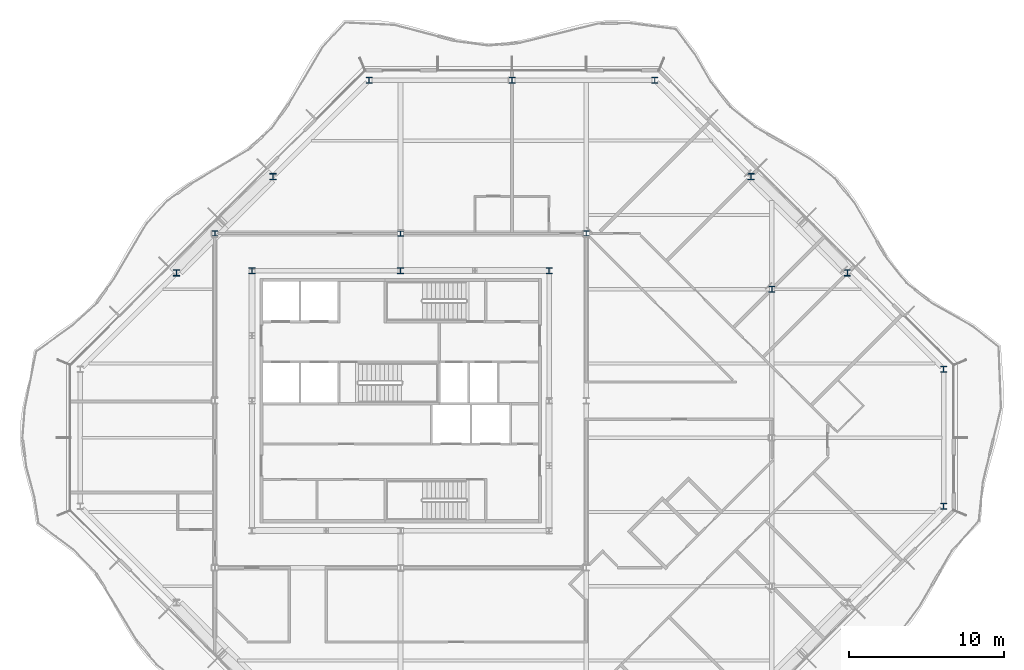
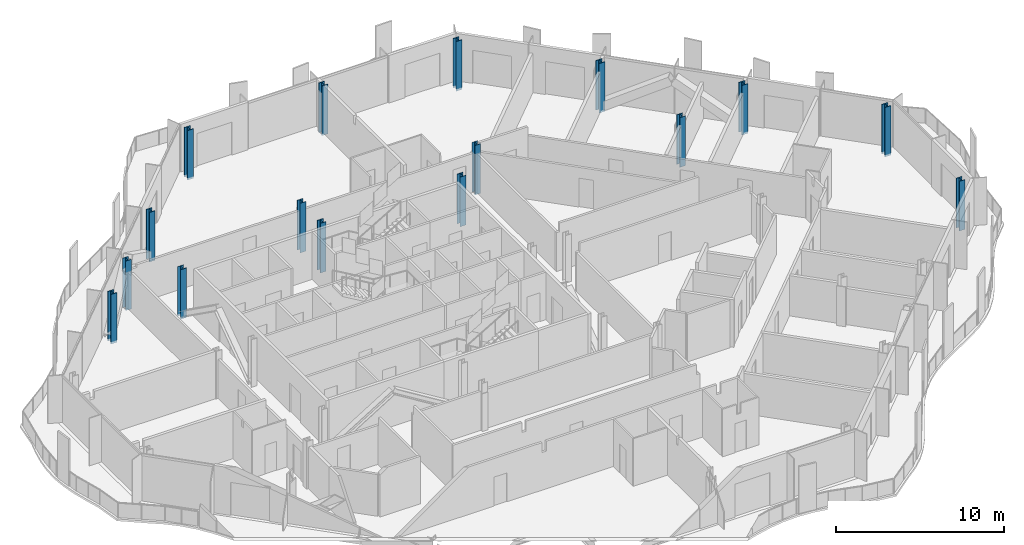
# One storey, part 2 of 17: 16 columns.
"""IFC4 building model written with IfcOpenShell, lengths in metres."""

from ifc_helpers import new_model, si_unit, direction, frame, origin, origin_2d, place, context, subcontext, project, spatial, i_section, extrude, material, material_profile, profile_set, type_object, element, save


model = new_model("IFC4")

# Units and contexts
model_context = context("Model", 3, precision=1e-05, world=origin(), true_north=direction((0.0, 1.0)))
body_context = subcontext(model_context, "Body", "Model", "MODEL_VIEW")
ifc_project = project(units=[si_unit("LENGTHUNIT", "METRE"), si_unit("AREAUNIT", "SQUARE_METRE"), si_unit("VOLUMEUNIT", "CUBIC_METRE"), si_unit("PLANEANGLEUNIT", "RADIAN"), si_unit("MASSUNIT", "GRAM", prefix="KILO")], contexts=[model_context])

# Site, building, storey
site_placement = place(None, origin())
site = spatial("IfcSite", under=ifc_project, at=site_placement, CompositionType="ELEMENT")
building_placement = place(site_placement, origin())
building = spatial("IfcBuilding", under=site, at=building_placement, Name="Cairn Pilgrim Tower", CompositionType="ELEMENT")
storey_placement = place(building_placement, frame((0.0, 0.0, 246.60009765625)))
storey = spatial("IfcBuildingStorey", under=building, at=storey_placement, Name="L63", CompositionType="ELEMENT", Elevation=246.60009765625)

# Columns
ifc_material_1 = material(Name="Structural steel S355J2", Category="steel")
ifc_material_profile_1 = material_profile(ifc_material_1, i_section(OverallWidth=0.39404296875, OverallDepth=0.375, WebThickness=0.017333984375, FlangeThickness=0.027587890625, FilletRadius=0.014892578125, at=origin_2d()), Name="HD 400x216")
ifc_profile_set_1 = profile_set([ifc_material_profile_1], Name="Structural steel S355J2")
column_type_1 = type_object("IfcColumnType", Name="HD 400x216", PredefinedType="COLUMN", material=ifc_profile_set_1)
for number, where, z_axis, x_axis, name in (
    (1, (-4.800048828125, 13.199951171875, -0.150146484375), (0.0, 0.0, 1.0), (1.0, 0.0, 0.0), "IC-6"),
    (2, (7.199951171875, 13.199951171875, -0.150146484375), (0.0, 0.0, 1.0), (1.0, 0.0, 0.0), "IC-7"),
    (3, (19.199951171875, 13.199951171875, -0.150146484375), (0.0, 0.0, 1.0), (1.0, 0.0, 0.0), "IC-8"),
):
    element("IfcColumn", number, at=place(storey_placement, frame(where, z_axis=z_axis, x_axis=x_axis)), inside=storey, type_object=column_type_1, Name=name, PredefinedType="COLUMN", context=body_context, shape_type="SweptSolid", body=[
        extrude(i_section(OverallWidth=0.39404296875, OverallDepth=0.375, WebThickness=0.017333984375, FlangeThickness=0.027587890625, FilletRadius=0.014892578125, at=origin_2d()), origin(), (0.0, 0.0, 1.0), 3.60009765625),
    ])
ifc_material_profile_2 = material_profile(ifc_material_1, i_section(OverallWidth=0.39794921875, OverallDepth=0.386962890625, WebThickness=0.02099609375, FlangeThickness=0.033203125, FilletRadius=0.014892578125, at=origin_2d()), Name="HD 400x262")
ifc_profile_set_2 = profile_set([ifc_material_profile_2], Name="Structural steel S355J2")
column_type_2 = type_object("IfcColumnType", Name="HD 400x262", PredefinedType="COLUMN", material=ifc_profile_set_2)
for number, where, z_axis, x_axis, name in (
    (4, (-2.39990234375, 10.800048828125, -0.150146484375), (0.0, 0.0, 1.0), (1.0, 0.0, 0.0), "KC-6"),
    (5, (7.199951171875, 10.800048828125, -0.150146484375), (0.0, 0.0, 1.0), (1.0, 0.0, 0.0), "KC-7"),
    (6, (16.800048828125, 10.800048828125, -0.150146484375), (0.0, 0.0, 1.0), (1.0, 0.0, 0.0), "KC-8"),
):
    element("IfcColumn", number, at=place(storey_placement, frame(where, z_axis=z_axis, x_axis=x_axis)), inside=storey, type_object=column_type_2, Name=name, PredefinedType="COLUMN", context=body_context, shape_type="SweptSolid", body=[
        extrude(i_section(OverallWidth=0.39794921875, OverallDepth=0.386962890625, WebThickness=0.02099609375, FlangeThickness=0.033203125, FilletRadius=0.014892578125, at=origin_2d()), origin(), (0.0, 0.0, 1.0), 3.60009765625),
    ])
ifc_material_profile_3 = material_profile(ifc_material_1, i_section(OverallWidth=0.39892578125, OverallDepth=0.39306640625, WebThickness=0.022705078125, FlangeThickness=0.03662109375, FilletRadius=0.014892578125, at=origin_2d()), Name="HD 400x287")
ifc_profile_set_3 = profile_set([ifc_material_profile_3], Name="Structural steel S355J2")
column_type_3 = type_object("IfcColumnType", Name="HD 400x287", PredefinedType="COLUMN", material=ifc_profile_set_3)
column_placement = place(storey_placement, frame((31.199951171875, 9.60009765625, -0.150146484375), z_axis=(0.0, 0.0, 1.0), x_axis=(1.0, 0.0, 0.0)))
element("IfcColumn", 7, at=column_placement, inside=storey, type_object=column_type_3, Name="WC-WE+2", PredefinedType="COLUMN", context=body_context, shape_type="SweptSolid", body=[
    extrude(i_section(OverallWidth=0.39892578125, OverallDepth=0.39306640625, WebThickness=0.022705078125, FlangeThickness=0.03662109375, FilletRadius=0.014892578125, at=origin_2d()), origin(), (0.0, 0.0, 1.0), 3.60009765625),
])
ifc_material_2 = material(Name="Structural steel S460M", Category="steel")
ifc_material_profile_4 = material_profile(ifc_material_2, i_section(OverallWidth=0.404052734375, OverallDepth=0.406982421875, WebThickness=0.027099609375, FlangeThickness=0.043701171875, FilletRadius=0.014892578125, at=origin_2d()), Name="HD 400x347")
ifc_profile_set_4 = profile_set([ifc_material_profile_4], Name="Structural steel S460M")
column_type_4 = type_object("IfcColumnType", Name="HD 400x347", PredefinedType="COLUMN", material=ifc_profile_set_4)
for number, where, z_axis, x_axis, name in (
    (8, (42.300048828125, -4.42724609375, -0.150146484375), (0.0, 0.0, 1.0), (1.0, 0.0, 0.0), "PC3-E1"),
    (9, (42.300048828125, 4.42724609375, -0.150146484375), (0.0, 0.0, 1.0), (1.0, 0.0, 0.0), "PC3-NE1"),
    (10, (36.07568359375, 10.651611328125, -0.150146484375), (0.0, 0.0, 1.0), (1.0, 0.0, 0.0), "PC3-NE2"),
    (11, (29.8515625, 16.875732421875, -0.150146484375), (0.0, 0.0, 1.0), (1.0, 0.0, 0.0), "PC3-NE3"),
    (12, (23.627197265625, 23.10009765625, -0.150146484375), (0.0, 0.0, 1.0), (1.0, 0.0, 0.0), "PC3-N1"),
    (13, (14.39990234375, 23.10009765625, -0.150146484375), (0.0, 0.0, 1.0), (1.0, 0.0, 0.0), "PC3-N2"),
    (14, (5.1728515625, 23.10009765625, -0.150146484375), (0.0, 0.0, 1.0), (1.0, 0.0, 0.0), "PC3-NW1"),
    (15, (-1.051513671875, 16.875732421875, -0.150146484375), (0.0, 0.0, 1.0), (1.0, 0.0, 0.0), "PC3-NW2"),
    (16, (-7.275634765625, 10.651611328125, -0.150146484375), (0.0, 0.0, 1.0), (1.0, 0.0, 0.0), "PC3-NW3"),
):
    element("IfcColumn", number, at=place(storey_placement, frame(where, z_axis=z_axis, x_axis=x_axis)), inside=storey, type_object=column_type_4, Name=name, PredefinedType="COLUMN", context=body_context, shape_type="SweptSolid", body=[
        extrude(i_section(OverallWidth=0.404052734375, OverallDepth=0.406982421875, WebThickness=0.027099609375, FlangeThickness=0.043701171875, FilletRadius=0.014892578125, at=origin_2d()), origin(), (0.0, 0.0, 1.0), 3.60009765625),
    ])

save(model, "model.ifc")
